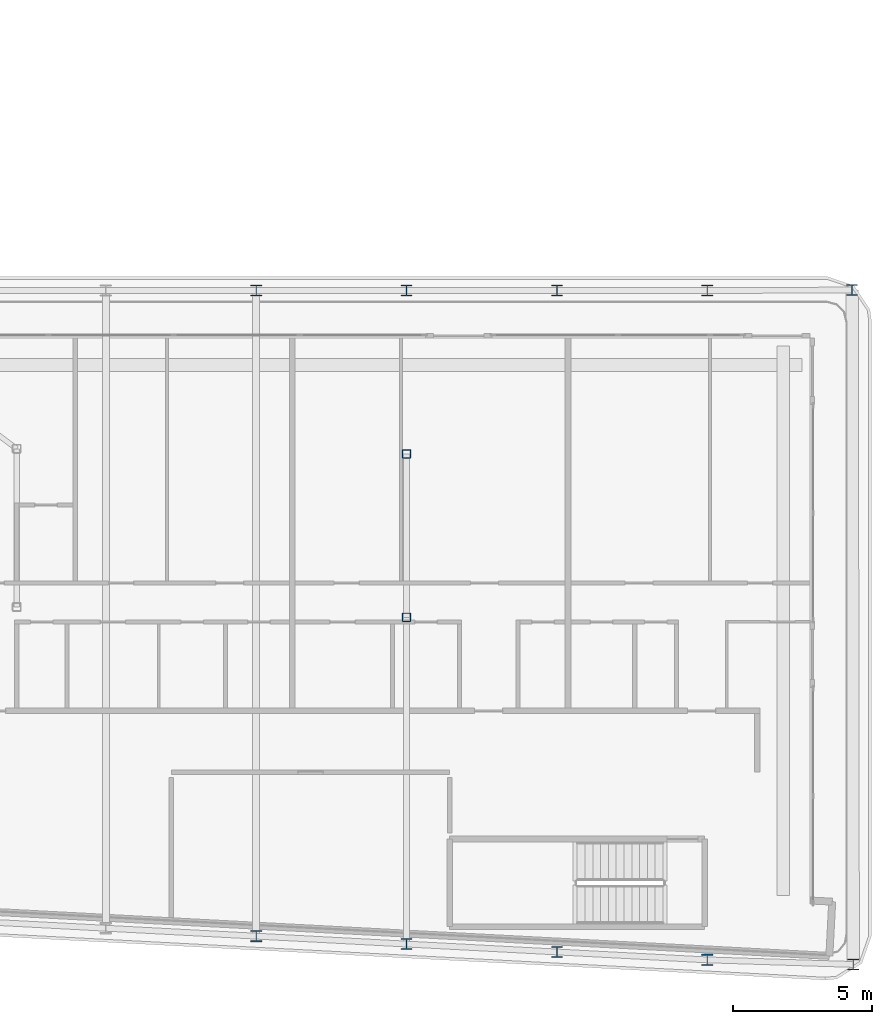
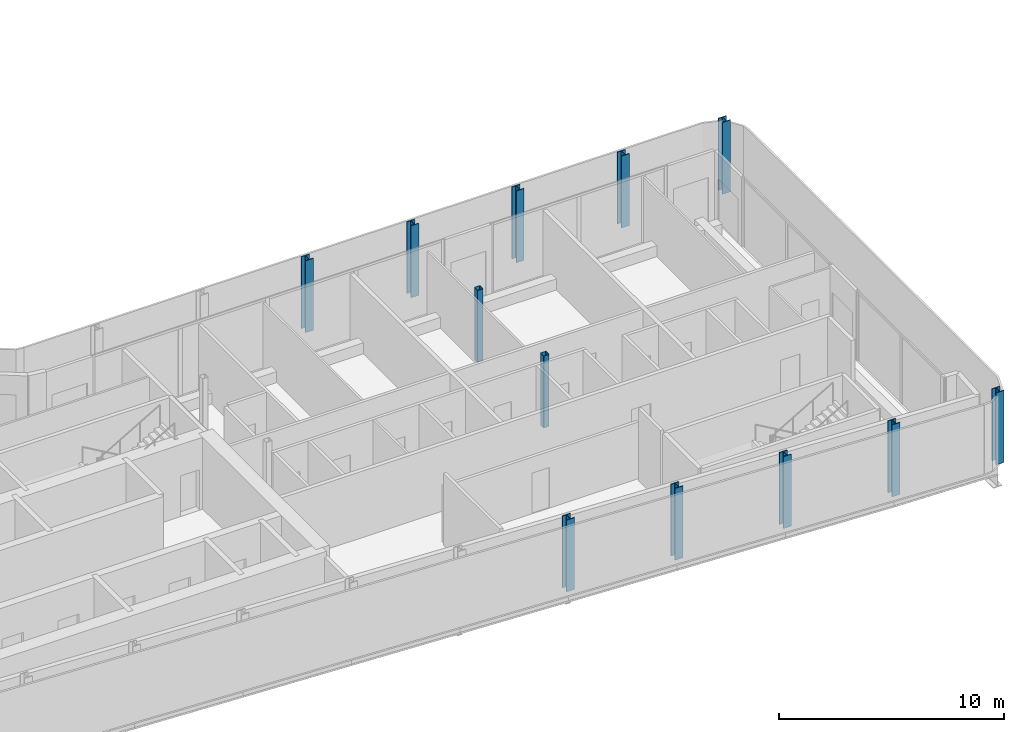
# One storey, part 2 of 21: 12 columns.
"""IFC4 building model written with IfcOpenShell, lengths in metres."""

from ifc_helpers import new_model, si_unit, direction, frame, origin, origin_2d, place, context, subcontext, project, spatial, hollow_rectangle, i_section, extrude, material, material_profile, profile_set, type_object, element, save


model = new_model("IFC4")

# Units and contexts
model_context = context("Model", 3, precision=1e-05, world=origin(), true_north=direction((0.0, 1.0)))
body_context = subcontext(model_context, "Body", "Model", "MODEL_VIEW")
ifc_project = project(units=[si_unit("LENGTHUNIT", "METRE"), si_unit("AREAUNIT", "SQUARE_METRE"), si_unit("VOLUMEUNIT", "CUBIC_METRE"), si_unit("PLANEANGLEUNIT", "RADIAN"), si_unit("MASSUNIT", "GRAM", prefix="KILO")], contexts=[model_context])

# Site, building, storey
site_placement = place(None, origin())
site = spatial("IfcSite", under=ifc_project, at=site_placement, CompositionType="ELEMENT")
building_placement = place(site_placement, origin())
building = spatial("IfcBuilding", under=site, at=building_placement, Name="Kheshtan School and Residences Tower", CompositionType="ELEMENT")
storey_placement = place(building_placement, frame((0.0, 0.0, 231.800048828125)))
storey = spatial("IfcBuildingStorey", under=building, at=storey_placement, Name="L54", CompositionType="ELEMENT", Elevation=231.800048828125)

# Columns
ifc_material_1 = material(Name="Steel ASTM A992 Grade 50", Category="steel")
ifc_material_profile_1 = material_profile(ifc_material_1, i_section(OverallWidth=0.404052734375, OverallDepth=0.406982421875, WebThickness=0.027099609375, FlangeThickness=0.043701171875, FilletRadius=0.01220703125, at=origin_2d()), Name="W360x347")
ifc_profile_set_1 = profile_set([ifc_material_profile_1], Name="Steel ASTM A992 Grade 50")
column_type_1 = type_object("IfcColumnType", Name="Column C4 W360x347 ASTM A992 Grade 50", PredefinedType="COLUMN", material=ifc_profile_set_1)
for number, where, z_axis, x_axis, name in (
    (1, (85.240966796875, 21.39501953125, 0.0), (0.0, 0.0, 1.0), (1.0, 0.0, 0.0), "Column C010"),
    (2, (80.0, 21.55810546875, 0.0), (0.0, 0.0, 1.0), (1.0, 0.0, 0.0), "Column C012"),
    (3, (74.60009765625, 21.843017578125, 0.0), (0.0, 0.0, 1.0), (1.0, 0.0, 0.0), "Column C013"),
    (4, (69.199951171875, 22.126953125, 0.0), (0.0, 0.0, 1.0), (1.0, 0.0, 0.0), "Column C014"),
    (5, (63.800048828125, 22.410888671875, 0.0), (0.0, 0.0, 1.0), (1.0, 0.0, 0.0), "Column C016"),
    (6, (63.800048828125, 45.60009765625, 0.0), (0.0, 0.0, 1.0), (1.0, 0.0, 0.0), "Column C063"),
    (7, (69.199951171875, 45.60009765625, 0.0), (0.0, 0.0, 1.0), (1.0, 0.0, 0.0), "Column C064"),
    (8, (74.60009765625, 45.60009765625, 0.0), (0.0, 0.0, 1.0), (1.0, 0.0, 0.0), "Column C065"),
    (9, (80.0, 45.60009765625, 0.0), (0.0, 0.0, 1.0), (1.0, 0.0, 0.0), "Column C066"),
    (10, (85.200927734375, 45.616943359375, 0.0), (0.0, 0.0, 1.0), (1.0, 0.0, 0.0), "Column C074"),
):
    element("IfcColumn", number, at=place(storey_placement, frame(where, z_axis=z_axis, x_axis=x_axis)), inside=storey, type_object=column_type_1, Name=name, PredefinedType="COLUMN", context=body_context, shape_type="SweptSolid", body=[
        extrude(i_section(OverallWidth=0.404052734375, OverallDepth=0.406982421875, WebThickness=0.027099609375, FlangeThickness=0.043701171875, FilletRadius=0.01220703125, at=origin_2d()), origin(), (0.0, 0.0, 1.0), 3.89990234375),
    ])
ifc_material_2 = material(Name="Steel ASTM A500 Grade C", Category="steel")
ifc_material_profile_2 = material_profile(ifc_material_2, hollow_rectangle(XDim=0.304931640625, YDim=0.304931640625, WallThickness=0.015869140625, InnerFilletRadius=0.015869140625, OuterFilletRadius=0.03173828125, at=origin_2d()), Name="HSS 305x305x15.9")
ifc_profile_set_2 = profile_set([ifc_material_profile_2], Name="Steel ASTM A500 Grade C")
column_type_2 = type_object("IfcColumnType", Name="Column IC2 HSS 305x305x15.9 ASTM A500 Grade C", PredefinedType="COLUMN", material=ifc_profile_set_2)
for number, where, z_axis, x_axis, name in (
    (11, (69.199951171875, 33.863037109375, 0.0), (0.0, 0.0, 1.0), (1.0, 0.0, 0.0), "Column C050"),
    (12, (69.199951171875, 39.73193359375, 0.0), (0.0, 0.0, 1.0), (1.0, 0.0, 0.0), "Column C054"),
):
    element("IfcColumn", number, at=place(storey_placement, frame(where, z_axis=z_axis, x_axis=x_axis)), inside=storey, type_object=column_type_2, Name=name, PredefinedType="COLUMN", context=body_context, shape_type="SweptSolid", body=[
        extrude(hollow_rectangle(XDim=0.304931640625, YDim=0.304931640625, WallThickness=0.015869140625, InnerFilletRadius=0.015869140625, OuterFilletRadius=0.03173828125, at=origin_2d()), origin(), (0.0, 0.0, 1.0), 3.89990234375),
    ])

save(model, "model.ifc")
